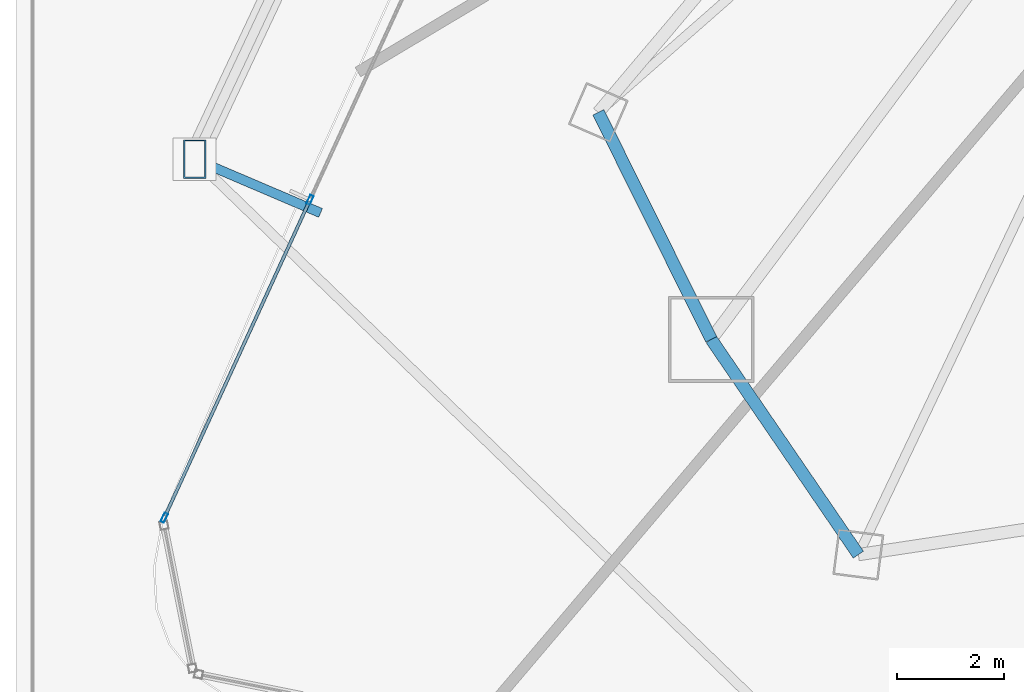
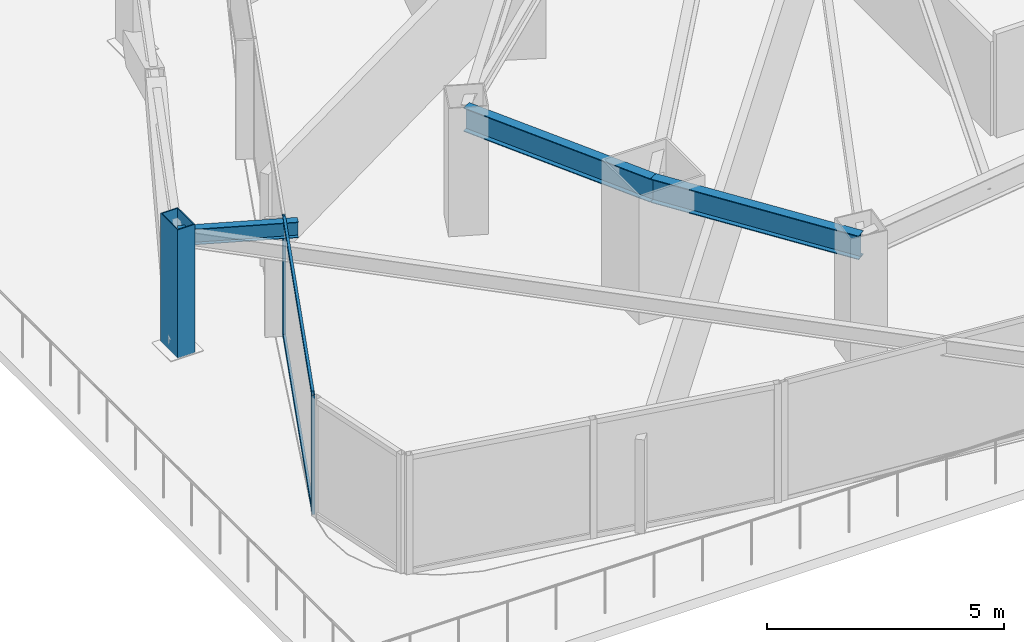
# One storey, part 5 of 36: 5 members, 3 beams, 1 element without a shape of its own.
"""IFC4 building model written with IfcOpenShell, lengths in metres."""

from ifc_helpers import new_model, si_unit, direction, frame, origin, origin_2d, place, context, subcontext, project, spatial, hollow_rectangle, i_section, extrude, material, layer, layer_set, material_profile, profile_set, type_object, element, aggregate, save


model = new_model("IFC4")

# Units and contexts
model_context = context("Model", 3, precision=1e-05, world=origin(), true_north=direction((0.0, 1.0)))
body_context = subcontext(model_context, "Body", "Model", "MODEL_VIEW")
ifc_project = project(units=[si_unit("LENGTHUNIT", "METRE"), si_unit("AREAUNIT", "SQUARE_METRE"), si_unit("VOLUMEUNIT", "CUBIC_METRE"), si_unit("PLANEANGLEUNIT", "RADIAN"), si_unit("MASSUNIT", "GRAM", prefix="KILO")], contexts=[model_context])

# Site, building, storey
site_placement = place(None, origin())
site = spatial("IfcSite", under=ifc_project, at=site_placement, CompositionType="ELEMENT")
building_placement = place(site_placement, origin())
building = spatial("IfcBuilding", under=site, at=building_placement, Name="Orvanel Arch Residences", CompositionType="ELEMENT")
storey_placement = place(building_placement, frame((0.0, 0.0, 23.60009765625)))
storey = spatial("IfcBuildingStorey", under=building, at=storey_placement, Name="L05", CompositionType="ELEMENT", Elevation=23.60009765625)

# Member
ifc_material_1 = material(Name="Structural steel AS/NZS 3678 Grade 350", Category="steel")
ifc_material_profile_1 = material_profile(ifc_material_1, hollow_rectangle(XDim=0.419921875, YDim=0.719970703125, WallThickness=0.02490234375, at=origin_2d()), Name="RHS720x420x25")
ifc_profile_set_1 = profile_set([ifc_material_profile_1], Name="Structural steel AS/NZS 3678 Grade 350")
member_type_1 = type_object("IfcMemberType", Name="CH-720RHS-EXT", PredefinedType="CHORD", material=ifc_profile_set_1)
member_1_placement = place(storey_placement, frame((4.572998046875, 13.7080078125, 0.0), z_axis=(0.0, 0.0, 1.0), x_axis=(1.0, 0.0, 0.0)))
element("IfcMember", 1, at=member_1_placement, inside=storey, type_object=member_type_1, Name="L05 Outer Perimeter Frame Post 04", PredefinedType="CHORD", context=body_context, shape_type="SweptSolid", body=[
    extrude(hollow_rectangle(XDim=0.419921875, YDim=0.719970703125, WallThickness=0.02490234375, at=origin_2d()), origin(), (0.0, 0.0, 1.0), 3.2998046875),
])

# Curtain wall, members
ifc_material_2 = material(Name="Bronze-anodised aluminium AA6063-T6", Category="aluminium")
ifc_layer = layer(ifc_material_2, 0.179931640625)
ifc_layer_set = layer_set([ifc_layer], Name="Bronze-anodised aluminium AA6063-T6")
curtain_wall_type = type_object("IfcCurtainWallType", Name="CW2-LOW-SYS", PredefinedType="NOTDEFINED", material=ifc_layer_set)
curtain_wall_placement = place(storey_placement, origin())
curtain_wall = element("IfcCurtainWall", 2, at=curtain_wall_placement, inside=storey, type_object=curtain_wall_type, Name="L05 CW2-LOW-SYS Unitised Curtain Wall", PredefinedType="NOTDEFINED")
ifc_material_profile_2 = material_profile(ifc_material_2, hollow_rectangle(XDim=0.070068359375, YDim=0.179931640625, WallThickness=0.00439453125, at=origin_2d()), Name="ALU180x70x4.5")
ifc_profile_set_2 = profile_set([ifc_material_profile_2], Name="Bronze-anodised aluminium AA6063-T6")
member_type_2 = type_object("IfcMemberType", Name="MUL-180x70", PredefinedType="MULLION", material=ifc_profile_set_2)
member_2_placement = place(storey_placement, frame((6.722900390625, 12.95166015625, 0.0), z_axis=(0.0, 0.0, 1.0), x_axis=(0.909015042916, -0.416763304229, 0.0)))
member_2 = element("IfcMember", 3, at=member_2_placement, type_object=member_type_2, Name="CW-S2 mullion 3", PredefinedType="MULLION", context=body_context, shape_type="SweptSolid", body=[
    extrude(hollow_rectangle(XDim=0.070068359375, YDim=0.179931640625, WallThickness=0.00439453125, at=origin_2d()), origin(), (0.0, 0.0, 1.0), 3.059814453125),
])
member_3_placement = place(storey_placement, frame((4.006591796875, 7.02685546875, 0.0), z_axis=(0.0, 0.0, 1.0), x_axis=(0.909015042916, -0.416763304229, 0.0)))
member_3 = element("IfcMember", 4, at=member_3_placement, type_object=member_type_2, Name="CW-S2 mullion 4", PredefinedType="MULLION", context=body_context, shape_type="SweptSolid", body=[
    extrude(hollow_rectangle(XDim=0.070068359375, YDim=0.179931640625, WallThickness=0.00439453125, at=origin_2d()), origin(), (0.0, 0.0, 1.0), 3.059814453125),
])

# Beams
ifc_material_3 = material(Name="Structural steel AS/NZS 3679.1 Grade 300 (300 MPa)", Category="steel")
ifc_material_profile_3 = material_profile(ifc_material_3, i_section(OverallWidth=0.177978515625, OverallDepth=0.406005859375, WebThickness=0.0078125, FlangeThickness=0.0126953125, at=origin_2d()), Name="410UB59.7")
ifc_profile_set_3 = profile_set([ifc_material_profile_3], Name="Structural steel AS/NZS 3679.1 Grade 300 (300 MPa)")
beam_type_1 = type_object("IfcBeamType", Name="OB-410UB-EXT", PredefinedType="SPANDREL", material=ifc_profile_set_3)
beam_1_placement = place(storey_placement, frame((6.9189453125, 12.70703125, 2.85693359375), z_axis=(-0.919772639873, 0.392451641532, 0.0), x_axis=(-0.392451641532, -0.919772639873, 0.0)))
element("IfcBeam", 5, at=beam_1_placement, inside=storey, type_object=beam_type_1, Name="L05 Outer Frame Radial Tie Beam 04", PredefinedType="SPANDREL", context=body_context, shape_type="SweptSolid", body=[
    extrude(i_section(OverallWidth=0.177978515625, OverallDepth=0.406005859375, WebThickness=0.0078125, FlangeThickness=0.0126953125, at=origin_2d()), origin(), (0.0, 0.0, 1.0), 2.550537109375),
])
ifc_material_profile_4 = material_profile(ifc_material_3, i_section(OverallWidth=0.22900390625, OverallDepth=0.612060546875, WebThickness=0.011962890625, FlangeThickness=0.01953125, at=origin_2d()), Name="610UB125")
ifc_profile_set_4 = profile_set([ifc_material_profile_4], Name="Structural steel AS/NZS 3679.1 Grade 300 (300 MPa)")
beam_type_2 = type_object("IfcBeamType", Name="SP-610UB", PredefinedType="SPANDREL", material=ifc_profile_set_4)
beam_2_placement = place(storey_placement, frame((12.094970703125, 14.580078125, 2.75390625), z_axis=(0.44543469453, -0.895314432425, 0.0), x_axis=(0.895314432425, 0.44543469453, 0.0)))
element("IfcBeam", 6, at=beam_2_placement, inside=storey, type_object=beam_type_2, Name="L05 Perimeter Spandrel Beam 02", PredefinedType="SPANDREL", context=body_context, shape_type="SweptSolid", body=[
    extrude(i_section(OverallWidth=0.22900390625, OverallDepth=0.612060546875, WebThickness=0.011962890625, FlangeThickness=0.01953125, at=origin_2d()), origin(), (0.0, 0.0, 1.0), 4.723388671875),
])
beam_3_placement = place(storey_placement, frame((14.198974609375, 10.35107421875, 2.75390625), z_axis=(0.564251579852, -0.825602903722, 0.0), x_axis=(0.825602903722, 0.564251579852, 0.0)))
element("IfcBeam", 7, at=beam_3_placement, inside=storey, type_object=beam_type_2, Name="L05 Perimeter Spandrel Beam 03", PredefinedType="SPANDREL", context=body_context, shape_type="SweptSolid", body=[
    extrude(i_section(OverallWidth=0.22900390625, OverallDepth=0.612060546875, WebThickness=0.011962890625, FlangeThickness=0.01953125, at=origin_2d()), origin(), (0.0, 0.0, 1.0), 4.859375),
])

# Member
ifc_material_profile_5 = material_profile(ifc_material_2, hollow_rectangle(XDim=0.06005859375, YDim=0.135009765625, WallThickness=0.00390625, at=origin_2d()), Name="ALU135x60x4")
ifc_profile_set_5 = profile_set([ifc_material_profile_5], Name="Bronze-anodised aluminium AA6063-T6")
member_type_3 = type_object("IfcMemberType", Name="TRN-135x60", PredefinedType="USERDEFINED", material=ifc_profile_set_5)
member_4_placement = place(storey_placement, frame((6.70849609375, 12.919921875, 0.02978515625), z_axis=(-0.416759007792, -0.909017012725, 0.0), x_axis=(0.909017012725, -0.416759007792, 0.0)))
member_4 = element("IfcMember", 8, at=member_4_placement, type_object=member_type_3, Name="CW-S2 transom 3.1", ObjectType="TRANSOM", PredefinedType="USERDEFINED", context=body_context, shape_type="SweptSolid", body=[
    extrude(hollow_rectangle(XDim=0.06005859375, YDim=0.135009765625, WallThickness=0.00390625, at=origin_2d()), origin(), (0.0, 0.0, 1.0), 6.447998046875),
])

member_5_placement = place(storey_placement, frame((6.70849609375, 12.919921875, 3.02978515625), z_axis=(-0.416759007792, -0.909017012725, 0.0), x_axis=(0.909017012725, -0.416759007792, 0.0)))
member_5 = element("IfcMember", 9, at=member_5_placement, type_object=member_type_3, Name="CW-S2 transom 3.2", ObjectType="TRANSOM", PredefinedType="USERDEFINED", context=body_context, shape_type="SweptSolid", body=[
    extrude(hollow_rectangle(XDim=0.06005859375, YDim=0.135009765625, WallThickness=0.00390625, at=origin_2d()), origin(), (0.0, 0.0, 1.0), 6.447998046875),
])

aggregate(curtain_wall, [member_2, member_3, member_4, member_5])

save(model, "model.ifc")
